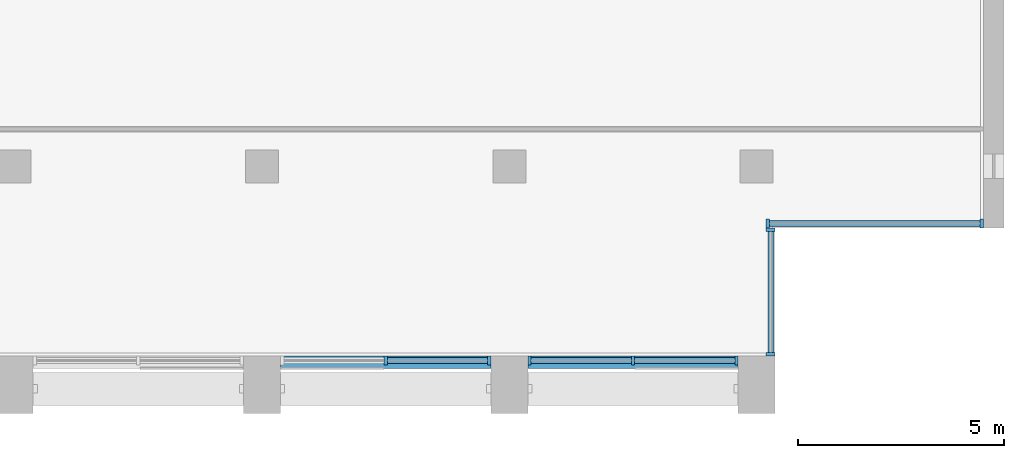
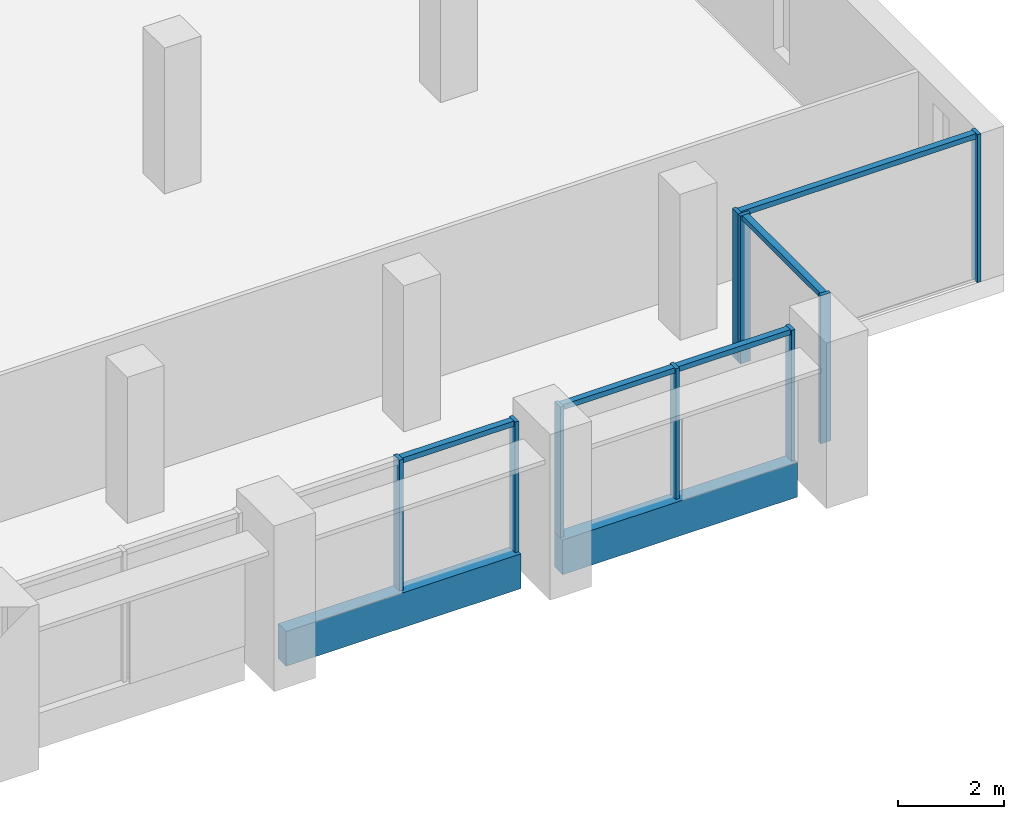
# One storey, part 3 of 14: 14 members, 2 beams, 4 elements without a shape of their own.
"""IFC4 building model written with IfcOpenShell, lengths in metres."""

from ifc_helpers import new_model, si_unit, direction, frame, origin, origin_2d, place, context, subcontext, project, spatial, rectangle, extrude, material, material_profile, profile_set, type_object, element, aggregate, save


model = new_model("IFC4")

# Units and contexts
model_context = context("Model", 3, precision=1e-05, world=origin(), true_north=direction((0.0, 1.0)))
body_context = subcontext(model_context, "Body", "Model", "MODEL_VIEW")
ifc_project = project(units=[si_unit("LENGTHUNIT", "METRE"), si_unit("AREAUNIT", "SQUARE_METRE"), si_unit("VOLUMEUNIT", "CUBIC_METRE"), si_unit("PLANEANGLEUNIT", "RADIAN"), si_unit("MASSUNIT", "GRAM", prefix="KILO")], contexts=[model_context])

# Site, building, storey
site_placement = place(None, origin())
site = spatial("IfcSite", under=ifc_project, at=site_placement, CompositionType="ELEMENT")
building_placement = place(site_placement, origin())
building = spatial("IfcBuilding", under=site, at=building_placement, Name="Calvaro Tower", CompositionType="ELEMENT")
storey_placement = place(building_placement, frame((0.0, 0.0, 258.35009765625)))
storey = spatial("IfcBuildingStorey", under=building, at=storey_placement, Name="L65", CompositionType="ELEMENT", Elevation=258.35009765625)

# Curtain wall, members
ifc_material_1 = material(Name="Anodised aluminium", Category="aluminium")
curtain_wall_type = type_object("IfcCurtainWallType", Name="Executive curtain wall", PredefinedType="NOTDEFINED", material=ifc_material_1)
curtain_wall_1_placement = place(storey_placement, origin())
curtain_wall_1 = element("IfcCurtainWall", 1, at=curtain_wall_1_placement, inside=storey, type_object=curtain_wall_type, Name="CW4 south curtain wall", PredefinedType="NOTDEFINED")
ifc_material_2 = material(Name="Anodised aluminium", Category="aluminium")
ifc_material_profile_1 = material_profile(ifc_material_2, rectangle(XDim=0.219970703125, YDim=0.080078125, at=origin_2d()), Name="Mullion S4 80 x 220")
ifc_profile_set_1 = profile_set([ifc_material_profile_1], Name="Anodised aluminium")
member_type_1 = type_object("IfcMemberType", Name="Mullion S4 80 x 220", PredefinedType="MULLION", material=ifc_profile_set_1)
member_1_placement = place(storey_placement, frame((51.0, 5.2900390625, 0.0), z_axis=(0.0, 0.0, 1.0), x_axis=(0.0, 1.0, 0.0)))
member_1 = element("IfcMember", 2, at=member_1_placement, type_object=member_type_1, Name="CW4 mullion 2", PredefinedType="MULLION", context=body_context, shape_type="SweptSolid", body=[
    extrude(rectangle(XDim=0.219970703125, YDim=0.080078125, at=origin_2d()), origin(), (0.0, 0.0, 1.0), 3.0),
])
member_2_placement = place(storey_placement, frame((53.510009765625, 5.2900390625, 0.0), z_axis=(0.0, 0.0, 1.0), x_axis=(0.0, 1.0, 0.0)))
member_2 = element("IfcMember", 3, at=member_2_placement, type_object=member_type_1, Name="CW4 mullion 3", PredefinedType="MULLION", context=body_context, shape_type="SweptSolid", body=[
    extrude(rectangle(XDim=0.219970703125, YDim=0.080078125, at=origin_2d()), origin(), (0.0, 0.0, 1.0), 3.0),
])

curtain_wall_2_placement = place(storey_placement, origin())
curtain_wall_2 = element("IfcCurtainWall", 4, at=curtain_wall_2_placement, inside=storey, type_object=curtain_wall_type, Name="CW4 south curtain wall", PredefinedType="NOTDEFINED")
member_3_placement = place(storey_placement, frame((54.489990234375, 5.2900390625, 0.0), z_axis=(0.0, 0.0, 1.0), x_axis=(0.0, 1.0, 0.0)))
member_3 = element("IfcMember", 5, at=member_3_placement, type_object=member_type_1, Name="CW4 mullion 1", PredefinedType="MULLION", context=body_context, shape_type="SweptSolid", body=[
    extrude(rectangle(XDim=0.219970703125, YDim=0.080078125, at=origin_2d()), origin(), (0.0, 0.0, 1.0), 3.0),
])
member_4_placement = place(storey_placement, frame((57.0, 5.2900390625, 0.0), z_axis=(0.0, 0.0, 1.0), x_axis=(0.0, 1.0, 0.0)))
member_4 = element("IfcMember", 6, at=member_4_placement, type_object=member_type_1, Name="CW4 mullion 2", PredefinedType="MULLION", context=body_context, shape_type="SweptSolid", body=[
    extrude(rectangle(XDim=0.219970703125, YDim=0.080078125, at=origin_2d()), origin(), (0.0, 0.0, 1.0), 3.0),
])
member_5_placement = place(storey_placement, frame((59.510009765625, 5.2900390625, 0.0), z_axis=(0.0, 0.0, 1.0), x_axis=(0.0, 1.0, 0.0)))
member_5 = element("IfcMember", 7, at=member_5_placement, type_object=member_type_1, Name="CW4 mullion 3", PredefinedType="MULLION", context=body_context, shape_type="SweptSolid", body=[
    extrude(rectangle(XDim=0.219970703125, YDim=0.080078125, at=origin_2d()), origin(), (0.0, 0.0, 1.0), 3.0),
])

curtain_wall_3_placement = place(storey_placement, origin())
curtain_wall_3 = element("IfcCurtainWall", 8, at=curtain_wall_3_placement, inside=storey, type_object=curtain_wall_type, Name="CW4 corner curtain wall", PredefinedType="NOTDEFINED")
member_6_placement = place(storey_placement, frame((60.340087890625, 5.43994140625, 0.0), z_axis=(0.0, 0.0, 1.0), x_axis=(-1.0, 0.0, 0.0)))
member_6 = element("IfcMember", 9, at=member_6_placement, type_object=member_type_1, Name="CW4 mullion 1", PredefinedType="MULLION", context=body_context, shape_type="SweptSolid", body=[
    extrude(rectangle(XDim=0.219970703125, YDim=0.080078125, at=origin_2d()), origin(), (0.0, 0.0, 1.0), 3.39990234375),
])
member_7_placement = place(storey_placement, frame((60.340087890625, 8.4599609375, 0.0), z_axis=(0.0, 0.0, 1.0), x_axis=(-1.0, 0.0, 0.0)))
member_7 = element("IfcMember", 10, at=member_7_placement, type_object=member_type_1, Name="CW4 mullion 2", PredefinedType="MULLION", context=body_context, shape_type="SweptSolid", body=[
    extrude(rectangle(XDim=0.219970703125, YDim=0.080078125, at=origin_2d()), origin(), (0.0, 0.0, 1.0), 3.39990234375),
])

curtain_wall_4_placement = place(storey_placement, origin())
curtain_wall_4 = element("IfcCurtainWall", 11, at=curtain_wall_4_placement, inside=storey, type_object=curtain_wall_type, Name="CW4 corner curtain wall", PredefinedType="NOTDEFINED")
member_8_placement = place(storey_placement, frame((60.27001953125, 8.610107421875, 0.0), z_axis=(0.0, 0.0, 1.0), x_axis=(0.0, 1.0, 0.0)))
member_8 = element("IfcMember", 12, at=member_8_placement, type_object=member_type_1, Name="CW4 mullion 1", PredefinedType="MULLION", context=body_context, shape_type="SweptSolid", body=[
    extrude(rectangle(XDim=0.219970703125, YDim=0.080078125, at=origin_2d()), origin(), (0.0, 0.0, 1.0), 3.39990234375),
])
member_9_placement = place(storey_placement, frame((65.4599609375, 8.610107421875, 0.0), z_axis=(0.0, 0.0, 1.0), x_axis=(0.0, 1.0, 0.0)))
member_9 = element("IfcMember", 13, at=member_9_placement, type_object=member_type_1, Name="CW4 mullion 2", PredefinedType="MULLION", context=body_context, shape_type="SweptSolid", body=[
    extrude(rectangle(XDim=0.219970703125, YDim=0.080078125, at=origin_2d()), origin(), (0.0, 0.0, 1.0), 3.39990234375),
])

# Beams
ifc_material_3 = material(Name="Concrete C50/60 precast", Category="concrete")
ifc_material_profile_2 = material_profile(ifc_material_3, rectangle(XDim=0.300048828125, YDim=0.800048828125, at=origin_2d()), Name="RC 300x800")
ifc_profile_set_2 = profile_set([ifc_material_profile_2], Name="Concrete C50/60 precast")
beam_type = type_object("IfcBeamType", Name="Spandrel beam 300x800 C50/60", PredefinedType="SPANDREL", material=ifc_profile_set_2)
for number, where, z_axis, x_axis, name in (
    (14, (48.449951171875, 5.25, -0.400146484375), (1.0, 0.0, 0.0), (0.0, 1.0, 0.0), "Spandrel beam"),
    (15, (54.449951171875, 5.25, -0.400146484375), (1.0, 0.0, 0.0), (0.0, 1.0, 0.0), "Spandrel beam"),
):
    element("IfcBeam", number, at=place(storey_placement, frame(where, z_axis=z_axis, x_axis=x_axis)), inside=storey, type_object=beam_type, Name=name, PredefinedType="SPANDREL", context=body_context, shape_type="SweptSolid", body=[
        extrude(rectangle(XDim=0.300048828125, YDim=0.800048828125, at=origin_2d()), origin(), (0.0, 0.0, 1.0), 5.10009765625),
    ])

# Member
ifc_material_4 = material(Name="Anodised aluminium", Category="aluminium")
ifc_material_profile_3 = material_profile(ifc_material_4, rectangle(XDim=0.139892578125, YDim=0.1201171875, at=origin_2d()), Name="Transom S4 120 x 140")
ifc_profile_set_3 = profile_set([ifc_material_profile_3], Name="Anodised aluminium")
member_type_2 = type_object("IfcMemberType", Name="Transom S4 120 x 140", PredefinedType="USERDEFINED", material=ifc_profile_set_3)
member_10_placement = place(storey_placement, frame((51.0400390625, 5.2900390625, 2.93994140625), z_axis=(1.0, 0.0, 0.0), x_axis=(0.0, 1.0, 0.0)))
member_10 = element("IfcMember", 16, at=member_10_placement, type_object=member_type_2, Name="CW4 transom 2.1", ObjectType="TRANSOM", PredefinedType="USERDEFINED", context=body_context, shape_type="SweptSolid", body=[
    extrude(rectangle(XDim=0.139892578125, YDim=0.1201171875, at=origin_2d()), origin(), (0.0, 0.0, 1.0), 2.429931640625),
])

aggregate(curtain_wall_1, [member_1, member_2, member_10])

member_11_placement = place(storey_placement, frame((54.530029296875, 5.2900390625, 2.93994140625), z_axis=(1.0, 0.0, 0.0), x_axis=(0.0, 1.0, 0.0)))
member_11 = element("IfcMember", 17, at=member_11_placement, type_object=member_type_2, Name="CW4 transom 1.1", ObjectType="TRANSOM", PredefinedType="USERDEFINED", context=body_context, shape_type="SweptSolid", body=[
    extrude(rectangle(XDim=0.139892578125, YDim=0.1201171875, at=origin_2d()), origin(), (0.0, 0.0, 1.0), 2.429931640625),
])

member_12_placement = place(storey_placement, frame((57.0400390625, 5.2900390625, 2.93994140625), z_axis=(1.0, 0.0, 0.0), x_axis=(0.0, 1.0, 0.0)))
member_12 = element("IfcMember", 18, at=member_12_placement, type_object=member_type_2, Name="CW4 transom 2.1", ObjectType="TRANSOM", PredefinedType="USERDEFINED", context=body_context, shape_type="SweptSolid", body=[
    extrude(rectangle(XDim=0.139892578125, YDim=0.1201171875, at=origin_2d()), origin(), (0.0, 0.0, 1.0), 2.429931640625),
])

aggregate(curtain_wall_2, [member_3, member_4, member_5, member_11, member_12])

member_13_placement = place(storey_placement, frame((60.340087890625, 5.47998046875, 3.33984375), z_axis=(0.0, 1.0, 0.0), x_axis=(-1.0, 0.0, 0.0)))
member_13 = element("IfcMember", 19, at=member_13_placement, type_object=member_type_2, Name="CW4 transom 1.1", ObjectType="TRANSOM", PredefinedType="USERDEFINED", context=body_context, shape_type="SweptSolid", body=[
    extrude(rectangle(XDim=0.139892578125, YDim=0.1201171875, at=origin_2d()), origin(), (0.0, 0.0, 1.0), 2.93994140625),
])

aggregate(curtain_wall_3, [member_6, member_7, member_13])

member_14_placement = place(storey_placement, frame((60.31005859375, 8.610107421875, 3.33984375), z_axis=(1.0, 0.0, 0.0), x_axis=(0.0, 1.0, 0.0)))
member_14 = element("IfcMember", 20, at=member_14_placement, type_object=member_type_2, Name="CW4 transom 1.1", ObjectType="TRANSOM", PredefinedType="USERDEFINED", context=body_context, shape_type="SweptSolid", body=[
    extrude(rectangle(XDim=0.139892578125, YDim=0.1201171875, at=origin_2d()), origin(), (0.0, 0.0, 1.0), 5.10986328125),
])

aggregate(curtain_wall_4, [member_8, member_9, member_14])

save(model, "model.ifc")
